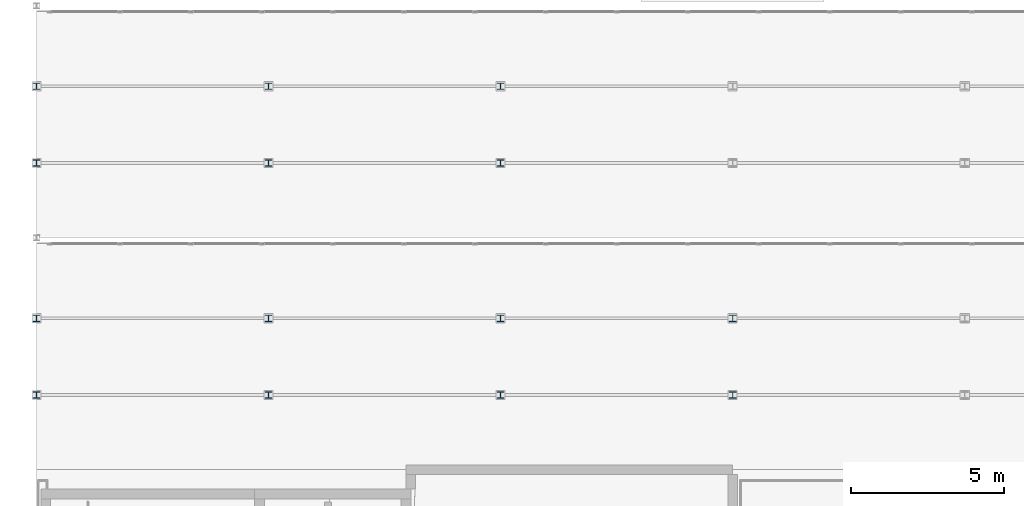
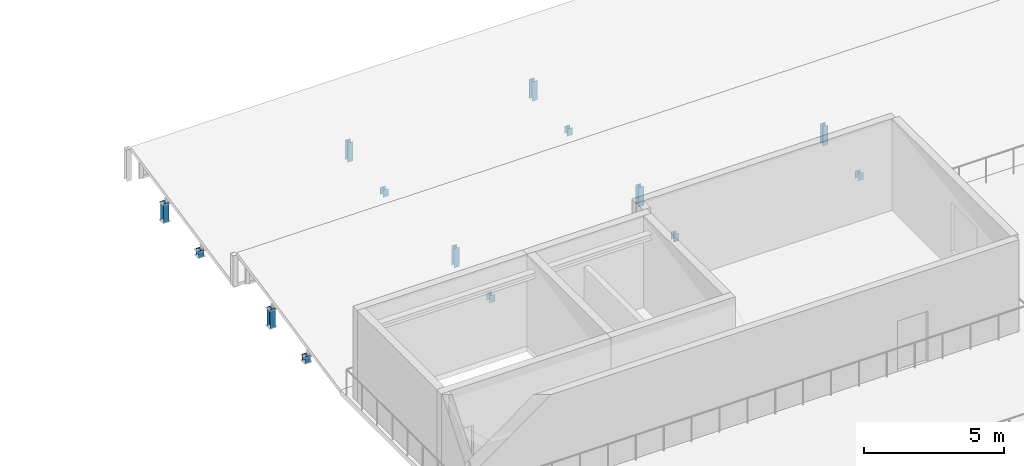
# One storey, part 67 of 114: 14 members.
"""IFC4 building model written with IfcOpenShell, lengths in metres."""

from ifc_helpers import new_model, si_unit, direction, frame, origin, origin_2d, place, context, subcontext, project, spatial, i_section, extrude, material, material_profile, profile_set, type_object, element, save


model = new_model("IFC4")

# Units and contexts
model_context = context("Model", 3, precision=1e-05, world=origin(), true_north=direction((0.0, 1.0)))
body_context = subcontext(model_context, "Body", "Model", "MODEL_VIEW")
ifc_project = project(units=[si_unit("LENGTHUNIT", "METRE"), si_unit("AREAUNIT", "SQUARE_METRE"), si_unit("VOLUMEUNIT", "CUBIC_METRE"), si_unit("PLANEANGLEUNIT", "RADIAN"), si_unit("MASSUNIT", "GRAM", prefix="KILO")], contexts=[model_context])

# Site, building, storey
site_placement = place(None, origin())
site = spatial("IfcSite", under=ifc_project, at=site_placement, CompositionType="ELEMENT")
building_placement = place(site_placement, origin())
building = spatial("IfcBuilding", under=site, at=building_placement, Name="Montecoro Central Library", CompositionType="ELEMENT")
storey_placement = place(building_placement, frame((0.0, 0.0, 13.260009765625)))
storey = spatial("IfcBuildingStorey", under=building, at=storey_placement, Name="L03", CompositionType="ELEMENT", Elevation=13.260009765625)

# Members
ifc_material = material(Name="Steel S355", Category="steel")
ifc_material_profile = material_profile(ifc_material, i_section(OverallWidth=0.219970703125, OverallDepth=0.2099609375, WebThickness=0.007080078125, FlangeThickness=0.010986328125, at=origin_2d()), Name="HEA 220")
ifc_profile_set = profile_set([ifc_material_profile], Name="Steel S355")
member_type = type_object("IfcMemberType", Name="MB-TD-HEA220", PredefinedType="STRUT", material=ifc_profile_set)
for number, where, z_axis, x_axis, name in (
    (1, (5.0, 22.64208984375, -0.255126953125), (0.0, 0.0, 1.0), (1.0, 0.0, 0.0), "V3-ROOF-STRUT1-33-1"),
    (2, (12.60009765625, 22.64208984375, -0.255126953125), (0.0, 0.0, 1.0), (1.0, 0.0, 0.0), "V3-ROOF-STRUT1-33-2"),
    (3, (20.199951171875, 22.64208984375, -0.255126953125), (0.0, 0.0, 1.0), (1.0, 0.0, 0.0), "V3-ROOF-STRUT1-33-3"),
    (4, (27.800048828125, 22.64208984375, -0.255126953125), (0.0, 0.0, 1.0), (1.0, 0.0, 0.0), "V3-ROOF-STRUT1-33-4"),
):
    element("IfcMember", number, at=place(storey_placement, frame(where, z_axis=z_axis, x_axis=x_axis)), inside=storey, type_object=member_type, Name=name, PredefinedType="STRUT", context=body_context, shape_type="SweptSolid", body=[
        extrude(i_section(OverallWidth=0.219970703125, OverallDepth=0.2099609375, WebThickness=0.007080078125, FlangeThickness=0.010986328125, at=origin_2d()), origin(), (0.0, 0.0, 1.0), 0.315185546875),
    ])
for number, where, z_axis, x_axis, name in (
    (5, (5.0, 25.157958984375, -0.255126953125), (0.0, 0.0, 1.0), (1.0, 0.0, 0.0), "V3-ROOF-STRUT1-67-1"),
    (6, (12.60009765625, 25.157958984375, -0.255126953125), (0.0, 0.0, 1.0), (1.0, 0.0, 0.0), "V3-ROOF-STRUT1-67-2"),
    (7, (20.199951171875, 25.157958984375, -0.255126953125), (0.0, 0.0, 1.0), (1.0, 0.0, 0.0), "V3-ROOF-STRUT1-67-3"),
    (8, (27.800048828125, 25.157958984375, -0.255126953125), (0.0, 0.0, 1.0), (1.0, 0.0, 0.0), "V3-ROOF-STRUT1-67-4"),
):
    element("IfcMember", number, at=place(storey_placement, frame(where, z_axis=z_axis, x_axis=x_axis)), inside=storey, type_object=member_type, Name=name, PredefinedType="STRUT", context=body_context, shape_type="SweptSolid", body=[
        extrude(i_section(OverallWidth=0.219970703125, OverallDepth=0.2099609375, WebThickness=0.007080078125, FlangeThickness=0.010986328125, at=origin_2d()), origin(), (0.0, 0.0, 1.0), 0.84521484375),
    ])
for number, where, z_axis, x_axis, name in (
    (9, (5.0, 30.241943359375, -0.255126953125), (0.0, 0.0, 1.0), (1.0, 0.0, 0.0), "V3-ROOF-STRUT2-33-1"),
    (10, (12.60009765625, 30.241943359375, -0.255126953125), (0.0, 0.0, 1.0), (1.0, 0.0, 0.0), "V3-ROOF-STRUT2-33-2"),
    (11, (20.199951171875, 30.241943359375, -0.255126953125), (0.0, 0.0, 1.0), (1.0, 0.0, 0.0), "V3-ROOF-STRUT2-33-3"),
):
    element("IfcMember", number, at=place(storey_placement, frame(where, z_axis=z_axis, x_axis=x_axis)), inside=storey, type_object=member_type, Name=name, PredefinedType="STRUT", context=body_context, shape_type="SweptSolid", body=[
        extrude(i_section(OverallWidth=0.219970703125, OverallDepth=0.2099609375, WebThickness=0.007080078125, FlangeThickness=0.010986328125, at=origin_2d()), origin(), (0.0, 0.0, 1.0), 0.315185546875),
    ])
for number, where, z_axis, x_axis, name in (
    (12, (5.0, 32.758056640625, -0.255126953125), (0.0, 0.0, 1.0), (1.0, 0.0, 0.0), "V3-ROOF-STRUT2-67-1"),
    (13, (12.60009765625, 32.758056640625, -0.255126953125), (0.0, 0.0, 1.0), (1.0, 0.0, 0.0), "V3-ROOF-STRUT2-67-2"),
    (14, (20.199951171875, 32.758056640625, -0.255126953125), (0.0, 0.0, 1.0), (1.0, 0.0, 0.0), "V3-ROOF-STRUT2-67-3"),
):
    element("IfcMember", number, at=place(storey_placement, frame(where, z_axis=z_axis, x_axis=x_axis)), inside=storey, type_object=member_type, Name=name, PredefinedType="STRUT", context=body_context, shape_type="SweptSolid", body=[
        extrude(i_section(OverallWidth=0.219970703125, OverallDepth=0.2099609375, WebThickness=0.007080078125, FlangeThickness=0.010986328125, at=origin_2d()), origin(), (0.0, 0.0, 1.0), 0.84521484375),
    ])

save(model, "model.ifc")
